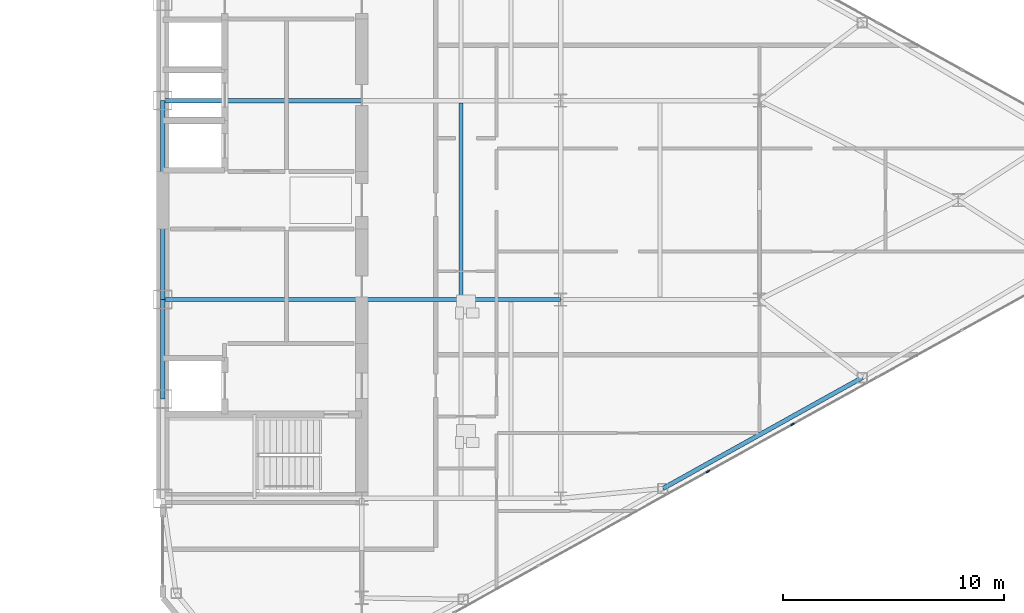
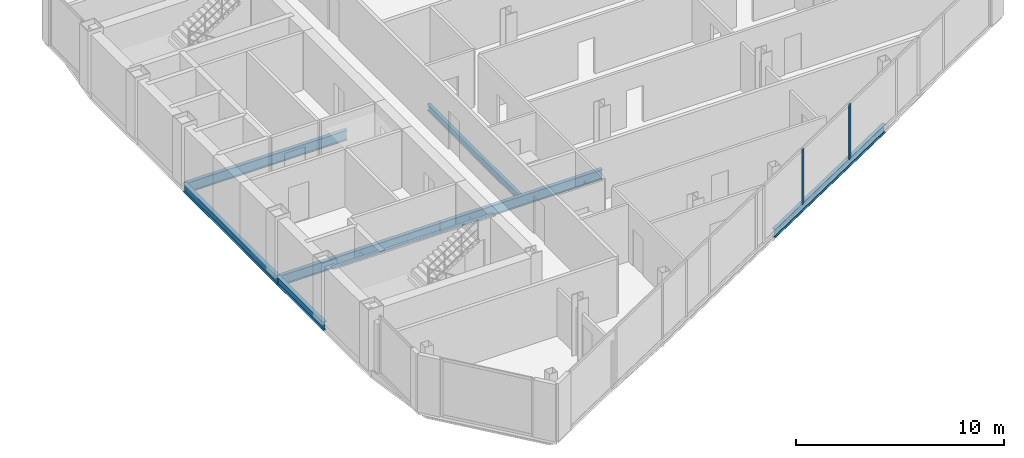
# One storey, part 13 of 26: 7 beams, 2 members, 1 element without a shape of its own.
"""IFC4 building model written with IfcOpenShell, lengths in metres."""

from ifc_helpers import new_model, si_unit, direction, frame, origin, origin_2d, place, context, subcontext, project, spatial, rectangle, i_section, extrude, source, transform, mapped, material, layer, layer_set, material_profile, profile_set, type_object, type_shapes, element, aggregate, save


model = new_model("IFC4")

# Units and contexts
model_context = context("Model", 3, precision=1e-05, world=origin(), true_north=direction((0.0, 1.0)))
body_context = subcontext(model_context, "Body", "Model", "MODEL_VIEW")
ifc_project = project(units=[si_unit("LENGTHUNIT", "METRE"), si_unit("AREAUNIT", "SQUARE_METRE"), si_unit("VOLUMEUNIT", "CUBIC_METRE"), si_unit("PLANEANGLEUNIT", "RADIAN"), si_unit("MASSUNIT", "GRAM", prefix="KILO")], contexts=[model_context])

# Site, building, storey
site_placement = place(None, origin())
site = spatial("IfcSite", under=ifc_project, at=site_placement, CompositionType="ELEMENT")
building_placement = place(site_placement, origin())
building = spatial("IfcBuilding", under=site, at=building_placement, Name="Seokmaru Belvedere", CompositionType="ELEMENT")
storey_placement = place(building_placement, frame((0.0, 0.0, 170.699951171875)))
storey = spatial("IfcBuildingStorey", under=building, at=storey_placement, Name="L45", CompositionType="ELEMENT", Elevation=170.699951171875)

# Beams
ifc_material_1 = material(Name="Steel SM355 (355 MPa)", Category="steel")
ifc_material_profile_1 = material_profile(ifc_material_1, i_section(OverallWidth=0.199951171875, OverallDepth=0.5, WebThickness=0.010009765625, FlangeThickness=0.01611328125, at=origin_2d()), Name="H-500x200x10x16")
ifc_profile_set_1 = profile_set([ifc_material_profile_1], Name="Steel SM355 (355 MPa)")
beam_type_1 = type_object("IfcBeamType", Name="Perimeter Spandrel Beam H-500", PredefinedType="SPANDREL", material=ifc_profile_set_1)
shared_shape_1 = source(origin(), body_context, "Body", "SweptSolid", [
    extrude(i_section(OverallWidth=0.199951171875, OverallDepth=0.5, WebThickness=0.010009765625, FlangeThickness=0.01611328125, at=origin_2d()), origin(), (0.0, 0.0, 1.0), 4.5),
])
beam_1_placement = place(storey_placement, frame((27.5, -9.0, -0.469970703125), z_axis=(0.0, 1.0, 0.0), x_axis=(-1.0, 0.0, 0.0)))
element("IfcBeam", 1, at=beam_1_placement, inside=storey, type_object=beam_type_1, Name="L45 E Portal Spine Spandrel 2", PredefinedType="SPANDREL", context=body_context, shape_type="MappedRepresentation", body=[
    mapped(shared_shape_1, transform((0.0, 0.0, 0.0), scale=1.0)),
])
shared_shape_2 = source(origin(), body_context, "Body", "SweptSolid", [
    extrude(i_section(OverallWidth=0.199951171875, OverallDepth=0.5, WebThickness=0.010009765625, FlangeThickness=0.01611328125, at=origin_2d()), origin(), (0.0, 0.0, 1.0), 9.0),
])
beam_2_placement = place(storey_placement, frame((27.5, -4.5, -0.469970703125), z_axis=(0.0, 1.0, 0.0), x_axis=(-1.0, 0.0, 0.0)))
element("IfcBeam", 2, at=beam_2_placement, inside=storey, type_object=beam_type_1, Name="L45 E Portal Spine Spandrel 3", PredefinedType="SPANDREL", context=body_context, shape_type="MappedRepresentation", body=[
    mapped(shared_shape_2, transform((0.0, 0.0, 0.0), scale=1.0)),
])
ifc_material_profile_2 = material_profile(ifc_material_1, i_section(OverallWidth=0.199951171875, OverallDepth=0.60009765625, WebThickness=0.010986328125, FlangeThickness=0.01708984375, at=origin_2d()), Name="H-600x200x11x17")
ifc_profile_set_2 = profile_set([ifc_material_profile_2], Name="Steel SM355 (355 MPa)")
beam_type_2 = type_object("IfcBeamType", Name="Primary Floor Girder H-600", PredefinedType="BEAM", material=ifc_profile_set_2)
shared_shape_3 = source(origin(), body_context, "Body", "SweptSolid", [
    extrude(i_section(OverallWidth=0.199951171875, OverallDepth=0.60009765625, WebThickness=0.010986328125, FlangeThickness=0.01708984375, at=origin_2d()), origin(), (0.0, 0.0, 1.0), 9.0),
])
type_shapes(beam_type_2, [shared_shape_3])
for number, where, z_axis, x_axis, name in (
    (3, (27.5, -4.5, -0.52001953125), (1.0, 0.0, 0.0), (0.0, 1.0, 0.0), "L45 E Core Tie Girder 2"),
    (4, (36.5, -4.5, -0.52001953125), (1.0, 0.0, 0.0), (0.0, 1.0, 0.0), "L45 E Wing Primary Girder 2"),
    (5, (27.5, 4.5, -0.52001953125), (1.0, 0.0, 0.0), (0.0, 1.0, 0.0), "L45 E Core Tie Girder 3"),
):
    element("IfcBeam", number, at=place(storey_placement, frame(where, z_axis=z_axis, x_axis=x_axis)), inside=storey, type_object=beam_type_2, Name=name, PredefinedType="BEAM", context=body_context, shape_type="MappedRepresentation", body=[
        mapped(shared_shape_3, transform((0.0, 0.0, 0.0), scale=1.0)),
    ])
ifc_material_profile_3 = material_profile(ifc_material_1, i_section(OverallWidth=0.18505859375, OverallDepth=0.389892578125, WebThickness=0.008056640625, FlangeThickness=0.011962890625, at=origin_2d()), Name="H-390x185x8x12")
ifc_profile_set_3 = profile_set([ifc_material_profile_3], Name="Steel SM355 (355 MPa)")
beam_type_3 = type_object("IfcBeamType", Name="Secondary Floor Joist H-350", PredefinedType="JOIST", material=ifc_profile_set_3)
shared_shape_4 = source(origin(), body_context, "Body", "SweptSolid", [
    extrude(i_section(OverallWidth=0.18505859375, OverallDepth=0.389892578125, WebThickness=0.008056640625, FlangeThickness=0.011962890625, at=origin_2d()), origin(), (0.0, 0.0, 1.0), 8.7900390625),
])
type_shapes(beam_type_3, [shared_shape_4])
beam_3_placement = place(storey_placement, frame((41.0, -4.39501953125, -0.4150390625), z_axis=(0.0, 1.0, 0.0), x_axis=(-1.0, 0.0, 0.0)))
element("IfcBeam", 6, at=beam_3_placement, inside=storey, type_object=beam_type_3, Name="L45 E Secondary Floor Joist 2", PredefinedType="JOIST", context=body_context, shape_type="MappedRepresentation", body=[
    mapped(shared_shape_4, transform((0.0, 0.0, 0.0), scale=1.0)),
])
shared_shape_5 = source(origin(), body_context, "Body", "SweptSolid", [
    extrude(i_section(OverallWidth=0.199951171875, OverallDepth=0.5, WebThickness=0.010009765625, FlangeThickness=0.01611328125, at=origin_2d()), origin(), (0.0, 0.0, 1.0), 10.327392578125),
])
type_shapes(beam_type_1, [shared_shape_1, shared_shape_2, shared_shape_5])
beam_4_placement = place(storey_placement, frame((50.129150390625, -13.051025390625, -0.469970703125), z_axis=(0.873934162361, 0.48604431882, 0.0), x_axis=(-0.48604431882, 0.873934162361, 0.0)))
element("IfcBeam", 7, at=beam_4_placement, inside=storey, type_object=beam_type_1, Name="L45 E Faceted Flank Spandrel S-3", PredefinedType="SPANDREL", context=body_context, shape_type="MappedRepresentation", body=[
    mapped(shared_shape_5, transform((0.0, 0.0, 0.0), scale=1.0)),
])

# Curtain wall, members
ifc_material_2 = material(Name="Bronze Triple Insulating Glass", Category="glass")
ifc_layer = layer(ifc_material_2, 0.179931640625)
ifc_layer_set = layer_set([ifc_layer], Name="Bronze Triple Insulating Glass")
curtain_wall_type = type_object("IfcCurtainWallType", Name="High-Rise Wind-Corner Curtain Wall System CW-5", PredefinedType="NOTDEFINED", material=ifc_layer_set)
curtain_wall_placement = place(storey_placement, origin())
curtain_wall = element("IfcCurtainWall", 8, at=curtain_wall_placement, inside=storey, type_object=curtain_wall_type, Name="L45 Curtain Wall EF1", PredefinedType="NOTDEFINED")
ifc_material_3 = material(Name="Anodised Bronze Aluminium", Category="aluminium")
ifc_material_profile_4 = material_profile(ifc_material_3, rectangle(XDim=0.06494140625, YDim=0.179931640625, at=origin_2d()), Name="CW-M-65x180")
ifc_profile_set_4 = profile_set([ifc_material_profile_4], Name="Anodised Bronze Aluminium")
member_type = type_object("IfcMemberType", Name="Bronze Unitised Mullion 65x180", PredefinedType="MULLION", material=ifc_profile_set_4)
shared_shape_6 = source(origin(), body_context, "Body", "SweptSolid", [
    extrude(rectangle(XDim=0.06494140625, YDim=0.179931640625, at=origin_2d()), origin(), (0.0, 0.0, 1.0), 3.25),
])
type_shapes(member_type, [shared_shape_6])
member_1_placement = place(storey_placement, frame((52.166015625, -12.2841796875, 0.06494140625), z_axis=(0.0, 0.0, 1.0), x_axis=(-0.486047125147, 0.873932601598, 0.0)))
member_1 = element("IfcMember", 9, at=member_1_placement, type_object=member_type, Name="CW:L45:EF1 Mullion 6", PredefinedType="MULLION", context=body_context, shape_type="MappedRepresentation", body=[
    mapped(shared_shape_6, transform((0.0, 0.0, 0.0), scale=1.0)),
])
member_2_placement = place(storey_placement, frame((55.998291015625, -10.153076171875, 0.06494140625), z_axis=(0.0, 0.0, 1.0), x_axis=(-0.486047125147, 0.873932601598, 0.0)))
member_2 = element("IfcMember", 10, at=member_2_placement, type_object=member_type, Name="CW:L45:EF1 Mullion 7", PredefinedType="MULLION", context=body_context, shape_type="MappedRepresentation", body=[
    mapped(shared_shape_6, transform((0.0, 0.0, 0.0), scale=1.0)),
])
aggregate(curtain_wall, [member_1, member_2])

save(model, "model.ifc")
